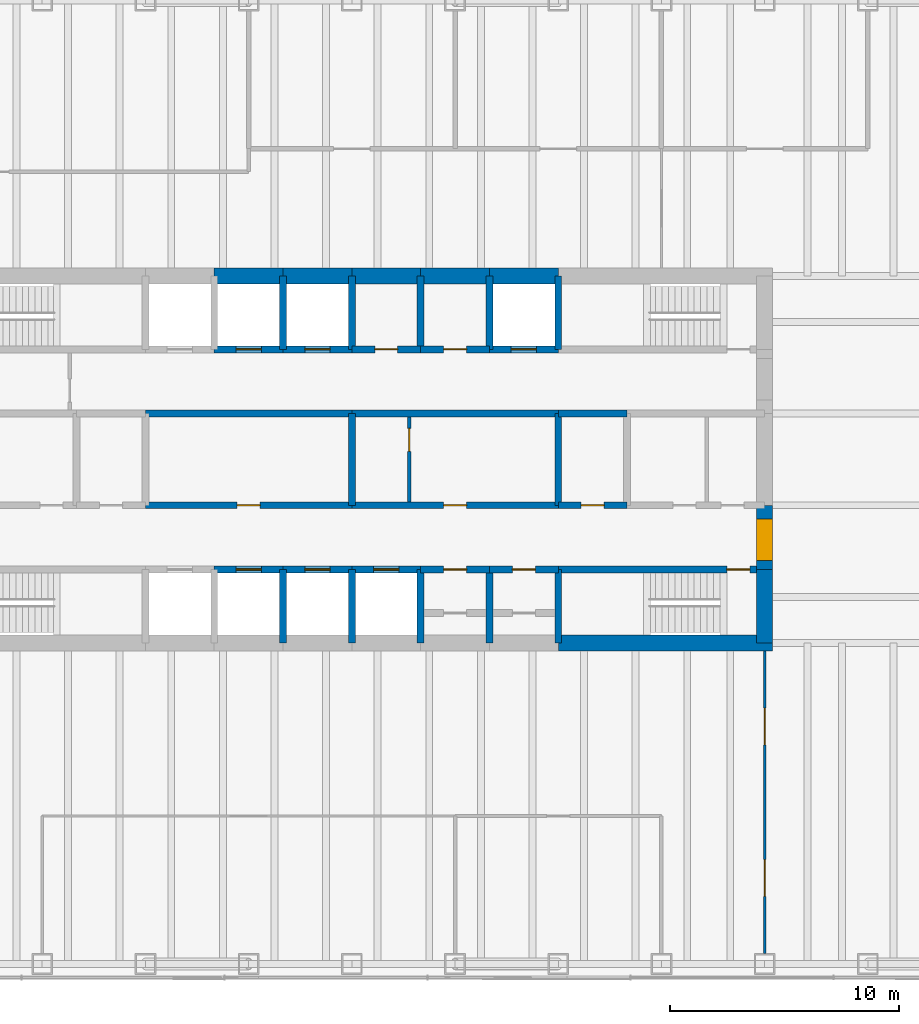
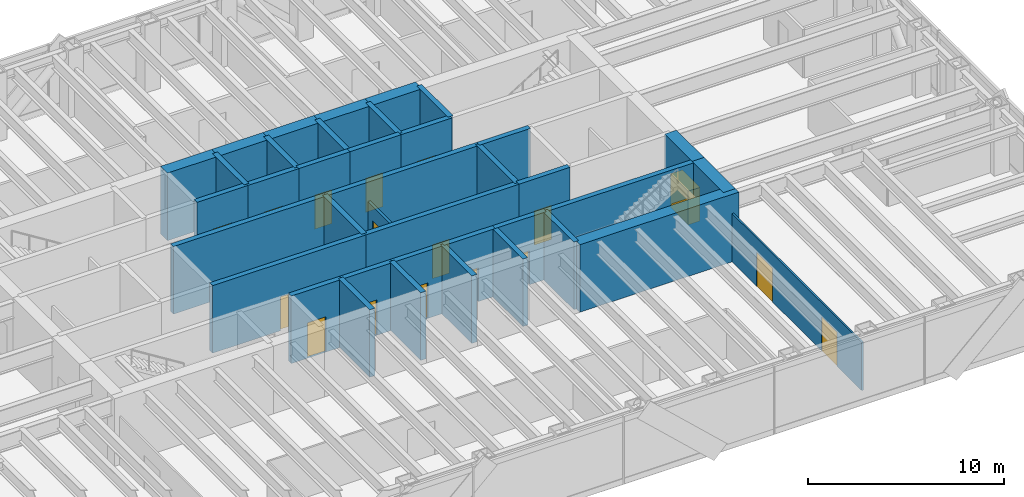
# One storey, part 12 of 15: 39 walls, 18 doors, 18 openings.
"""IFC4 building model written with IfcOpenShell, lengths in metres."""

from ifc_helpers import new_model, si_unit, direction, frame, frame_2d, origin, place, context, subcontext, project, spatial, rectangle, extrude, material, layer, layer_set, type_object, element, fill, save


model = new_model("IFC4")

# Units and contexts
model_context = context("Model", 3, precision=1e-05, world=origin(), true_north=direction((0.0, 1.0)))
body_context = subcontext(model_context, "Body", "Model", "MODEL_VIEW")
ifc_project = project(units=[si_unit("LENGTHUNIT", "METRE"), si_unit("AREAUNIT", "SQUARE_METRE"), si_unit("VOLUMEUNIT", "CUBIC_METRE"), si_unit("PLANEANGLEUNIT", "RADIAN"), si_unit("MASSUNIT", "GRAM", prefix="KILO")], contexts=[model_context])

# Site, building, storey
site_placement = place(None, origin())
site = spatial("IfcSite", under=ifc_project, at=site_placement, CompositionType="ELEMENT")
building_placement = place(site_placement, origin())
building = spatial("IfcBuilding", under=site, at=building_placement, Name="Rheinbord Bourse Tower", CompositionType="ELEMENT")
storey_placement = place(building_placement, frame((0.0, 0.0, 296.300048828125)))
storey = spatial("IfcBuildingStorey", under=building, at=storey_placement, Name="L67", CompositionType="ELEMENT", Elevation=296.300048828125)

# Wall, opening, door
ifc_material_1 = material(Name="Concrete C50/60", Category="concrete")
ifc_layer_1 = layer(ifc_material_1, 0.300048828125)
ifc_layer_set_1 = layer_set([ifc_layer_1], Name="CORE INNER WALL 300")
wall_type_1 = type_object("IfcWallType", Name="CORE INNER WALL 300", PredefinedType="SOLIDWALL", material=ifc_layer_set_1)
wall_1_placement = place(storey_placement, frame((30.0, 19.199951171875, 0.0), z_axis=(0.0, 0.0, 1.0), x_axis=(1.0, 0.0, 0.0)))
wall_1 = element("IfcWall", 1, at=wall_1_placement, inside=storey, type_object=wall_type_1, Name="Core wall A3 L67", PredefinedType="SOLIDWALL", context=body_context, shape_type="SweptSolid", body=[
    extrude(rectangle(XDim=3.0, YDim=0.300048828125, at=frame_2d((1.5, 0.0))), origin(), (0.0, 0.0, 1.0), 4.199951171875),
])
opening_1_placement = place(wall_1_placement, frame((0.949951171875, 0.0, 0.0)))
opening_1 = element("IfcOpeningElement", 2, at=opening_1_placement, cuts=wall_1, Name="Opening PD1", PredefinedType="OPENING", context=body_context, shape_type="SweptSolid", body=[
    extrude(rectangle(XDim=1.10009765625, YDim=2.199951171875, at=frame_2d((0.550048828125, 1.10009765625))), frame((0.0, 0.159912109375, 0.0), z_axis=(0.0, -1.0, 0.0), x_axis=(1.0, 0.0, 0.0)), (0.0, 0.0, 1.0), 0.320068359375),
])
ifc_material_2 = material(Name="Steel landing door", Category="steel")
door_type_1 = type_object("IfcDoorType", Name="LIFT LANDING DOOR 1100", OperationType="DOUBLE_DOOR_SLIDING", PredefinedType="USERDEFINED", material=ifc_material_2)
door_1_placement = place(opening_1_placement, origin())
door_1 = element("IfcDoor", 3, at=door_1_placement, inside=storey, type_object=door_type_1, Name="Lift landing door PD1 L67", ObjectType="LIFT LANDING DOOR", OperationType="DOUBLE_DOOR_SLIDING", OverallHeight=2.199951171875, OverallWidth=1.10009765625, PredefinedType="USERDEFINED", context=body_context, shape_type="SweptSolid", body=[
    extrude(rectangle(XDim=1.10009765625, YDim=2.199951171875, at=frame_2d((0.550048828125, 1.10009765625))), frame((0.0, 0.02490234375, 0.0), z_axis=(0.0, -1.0, 0.0), x_axis=(1.0, 0.0, 0.0)), (0.0, 0.0, 1.0), 0.050048828125),
])
fill(opening_1, door_1)

wall_2_placement = place(storey_placement, frame((33.0, 19.199951171875, 0.0), z_axis=(0.0, 0.0, 1.0), x_axis=(1.0, 0.0, 0.0)))
wall_2 = element("IfcWall", 4, at=wall_2_placement, inside=storey, type_object=wall_type_1, Name="Core wall A4 L67", PredefinedType="SOLIDWALL", context=body_context, shape_type="SweptSolid", body=[
    extrude(rectangle(XDim=3.0, YDim=0.300048828125, at=frame_2d((1.5, 0.0))), origin(), (0.0, 0.0, 1.0), 4.199951171875),
])
opening_2_placement = place(wall_2_placement, frame((0.949951171875, 0.0, 0.0)))
opening_2 = element("IfcOpeningElement", 5, at=opening_2_placement, cuts=wall_2, Name="Opening PD2", PredefinedType="OPENING", context=body_context, shape_type="SweptSolid", body=[
    extrude(rectangle(XDim=1.10009765625, YDim=2.199951171875, at=frame_2d((0.550048828125, 1.10009765625))), frame((0.0, 0.159912109375, 0.0), z_axis=(0.0, -1.0, 0.0), x_axis=(1.0, 0.0, 0.0)), (0.0, 0.0, 1.0), 0.320068359375),
])
door_2_placement = place(opening_2_placement, origin())
door_2 = element("IfcDoor", 6, at=door_2_placement, inside=storey, type_object=door_type_1, Name="Lift landing door PD2 L67", ObjectType="LIFT LANDING DOOR", OperationType="DOUBLE_DOOR_SLIDING", OverallHeight=2.199951171875, OverallWidth=1.10009765625, PredefinedType="USERDEFINED", context=body_context, shape_type="SweptSolid", body=[
    extrude(rectangle(XDim=1.10009765625, YDim=2.199951171875, at=frame_2d((0.550048828125, 1.10009765625))), frame((0.0, 0.02490234375, 0.0), z_axis=(0.0, -1.0, 0.0), x_axis=(1.0, 0.0, 0.0)), (0.0, 0.0, 1.0), 0.050048828125),
])
fill(opening_2, door_2)

wall_3_placement = place(storey_placement, frame((36.0, 19.199951171875, 0.0), z_axis=(0.0, 0.0, 1.0), x_axis=(1.0, 0.0, 0.0)))
wall_3 = element("IfcWall", 7, at=wall_3_placement, inside=storey, type_object=wall_type_1, Name="Core wall A5 L67", PredefinedType="SOLIDWALL", context=body_context, shape_type="SweptSolid", body=[
    extrude(rectangle(XDim=3.0, YDim=0.300048828125, at=frame_2d((1.5, 0.0))), origin(), (0.0, 0.0, 1.0), 4.199951171875),
])
opening_3_placement = place(wall_3_placement, frame((0.949951171875, 0.0, 0.0)))
opening_3 = element("IfcOpeningElement", 8, at=opening_3_placement, cuts=wall_3, Name="Opening PD3", PredefinedType="OPENING", context=body_context, shape_type="SweptSolid", body=[
    extrude(rectangle(XDim=1.10009765625, YDim=2.199951171875, at=frame_2d((0.550048828125, 1.10009765625))), frame((0.0, 0.159912109375, 0.0), z_axis=(0.0, -1.0, 0.0), x_axis=(1.0, 0.0, 0.0)), (0.0, 0.0, 1.0), 0.320068359375),
])
door_3_placement = place(opening_3_placement, origin())
door_3 = element("IfcDoor", 9, at=door_3_placement, inside=storey, type_object=door_type_1, Name="Lift landing door PD3 L67", ObjectType="LIFT LANDING DOOR", OperationType="DOUBLE_DOOR_SLIDING", OverallHeight=2.199951171875, OverallWidth=1.10009765625, PredefinedType="USERDEFINED", context=body_context, shape_type="SweptSolid", body=[
    extrude(rectangle(XDim=1.10009765625, YDim=2.199951171875, at=frame_2d((0.550048828125, 1.10009765625))), frame((0.0, 0.02490234375, 0.0), z_axis=(0.0, -1.0, 0.0), x_axis=(1.0, 0.0, 0.0)), (0.0, 0.0, 1.0), 0.050048828125),
])
fill(opening_3, door_3)

wall_4_placement = place(storey_placement, frame((39.0, 19.199951171875, 0.0), z_axis=(0.0, 0.0, 1.0), x_axis=(1.0, 0.0, 0.0)))
wall_4 = element("IfcWall", 10, at=wall_4_placement, inside=storey, type_object=wall_type_1, Name="Core wall A6 L67", PredefinedType="SOLIDWALL", context=body_context, shape_type="SweptSolid", body=[
    extrude(rectangle(XDim=3.0, YDim=0.300048828125, at=frame_2d((1.5, 0.0))), origin(), (0.0, 0.0, 1.0), 4.199951171875),
])
opening_4_placement = place(wall_4_placement, frame((1.0, 0.0, 0.0)))
opening_4 = element("IfcOpeningElement", 11, at=opening_4_placement, cuts=wall_4, Name="Opening 67R8", PredefinedType="OPENING", context=body_context, shape_type="SweptSolid", body=[
    extrude(rectangle(XDim=1.0, YDim=2.10009765625, at=frame_2d((0.5, 1.050048828125))), frame((0.0, 0.159912109375, 0.0), z_axis=(0.0, -1.0, 0.0), x_axis=(1.0, 0.0, 0.0)), (0.0, 0.0, 1.0), 0.320068359375),
])
ifc_material_3 = material(Name="Steel door", Category="steel")
door_type_2 = type_object("IfcDoorType", Name="DOOR 1000 EI30", OperationType="SINGLE_SWING_LEFT", PredefinedType="DOOR", material=ifc_material_3)
door_4_placement = place(opening_4_placement, origin())
door_4 = element("IfcDoor", 12, at=door_4_placement, inside=storey, type_object=door_type_2, Name="Archive store door L67", OperationType="SINGLE_SWING_LEFT", OverallHeight=2.10009765625, OverallWidth=1.0, PredefinedType="DOOR", context=body_context, shape_type="SweptSolid", body=[
    extrude(rectangle(XDim=1.0, YDim=2.10009765625, at=frame_2d((0.5, 1.050048828125))), frame((0.0, 0.02490234375, 0.0), z_axis=(0.0, -1.0, 0.0), x_axis=(1.0, 0.0, 0.0)), (0.0, 0.0, 1.0), 0.050048828125),
])
fill(opening_4, door_4)

wall_5_placement = place(storey_placement, frame((42.0, 19.199951171875, 0.0), z_axis=(0.0, 0.0, 1.0), x_axis=(1.0, 0.0, 0.0)))
wall_5 = element("IfcWall", 13, at=wall_5_placement, inside=storey, type_object=wall_type_1, Name="Core wall A7 L67", PredefinedType="SOLIDWALL", context=body_context, shape_type="SweptSolid", body=[
    extrude(rectangle(XDim=3.0, YDim=0.300048828125, at=frame_2d((1.5, 0.0))), origin(), (0.0, 0.0, 1.0), 4.199951171875),
])
opening_5_placement = place(wall_5_placement, frame((1.0, 0.0, 0.0)))
opening_5 = element("IfcOpeningElement", 14, at=opening_5_placement, cuts=wall_5, Name="Opening 67R9", PredefinedType="OPENING", context=body_context, shape_type="SweptSolid", body=[
    extrude(rectangle(XDim=1.0, YDim=2.10009765625, at=frame_2d((0.5, 1.050048828125))), frame((0.0, 0.159912109375, 0.0), z_axis=(0.0, -1.0, 0.0), x_axis=(1.0, 0.0, 0.0)), (0.0, 0.0, 1.0), 0.320068359375),
])
door_5_placement = place(opening_5_placement, origin())
door_5 = element("IfcDoor", 15, at=door_5_placement, inside=storey, type_object=door_type_2, Name="Mail room door L67", OperationType="SINGLE_SWING_LEFT", OverallHeight=2.10009765625, OverallWidth=1.0, PredefinedType="DOOR", context=body_context, shape_type="SweptSolid", body=[
    extrude(rectangle(XDim=1.0, YDim=2.10009765625, at=frame_2d((0.5, 1.050048828125))), frame((0.0, 0.02490234375, 0.0), z_axis=(0.0, -1.0, 0.0), x_axis=(1.0, 0.0, 0.0)), (0.0, 0.0, 1.0), 0.050048828125),
])
fill(opening_5, door_5)

wall_6_placement = place(storey_placement, frame((45.0, 19.199951171875, 0.0), z_axis=(0.0, 0.0, 1.0), x_axis=(1.0, 0.0, 0.0)))
wall_6 = element("IfcWall", 16, at=wall_6_placement, inside=storey, type_object=wall_type_1, Name="Core wall A8 L67", PredefinedType="SOLIDWALL", context=body_context, shape_type="SweptSolid", body=[
    extrude(rectangle(XDim=9.0, YDim=0.300048828125, at=frame_2d((4.5, 0.0))), origin(), (0.0, 0.0, 1.0), 4.199951171875),
])
opening_6_placement = place(wall_6_placement, frame((7.35009765625, 0.0, 0.0)))
opening_6 = element("IfcOpeningElement", 17, at=opening_6_placement, cuts=wall_6, Name="Opening 6730", PredefinedType="OPENING", context=body_context, shape_type="SweptSolid", body=[
    extrude(rectangle(XDim=1.0, YDim=2.10009765625, at=frame_2d((0.5, 1.050048828125))), frame((0.0, 0.159912109375, 0.0), z_axis=(0.0, -1.0, 0.0), x_axis=(1.0, 0.0, 0.0)), (0.0, 0.0, 1.0), 0.320068359375),
])
door_6_placement = place(opening_6_placement, origin())
door_6 = element("IfcDoor", 18, at=door_6_placement, inside=storey, type_object=door_type_2, Name="Stair door ST3 L67", OperationType="SINGLE_SWING_RIGHT", OverallHeight=2.10009765625, OverallWidth=1.0, PredefinedType="DOOR", context=body_context, shape_type="SweptSolid", body=[
    extrude(rectangle(XDim=1.0, YDim=2.10009765625, at=frame_2d((0.5, 1.050048828125))), frame((0.0, 0.02490234375, 0.0), z_axis=(0.0, -1.0, 0.0), x_axis=(1.0, 0.0, 0.0)), (0.0, 0.0, 1.0), 0.050048828125),
])
fill(opening_6, door_6)

wall_7_placement = place(storey_placement, frame((30.0, 28.800048828125, 0.0), z_axis=(0.0, 0.0, 1.0), x_axis=(1.0, 0.0, 0.0)))
wall_7 = element("IfcWall", 19, at=wall_7_placement, inside=storey, type_object=wall_type_1, Name="Core wall B3 L67", PredefinedType="SOLIDWALL", context=body_context, shape_type="SweptSolid", body=[
    extrude(rectangle(XDim=3.0, YDim=0.300048828125, at=frame_2d((1.5, 0.0))), origin(), (0.0, 0.0, 1.0), 4.199951171875),
])
opening_7_placement = place(wall_7_placement, frame((0.949951171875, 0.0, 0.0)))
opening_7 = element("IfcOpeningElement", 20, at=opening_7_placement, cuts=wall_7, Name="Opening PD4", PredefinedType="OPENING", context=body_context, shape_type="SweptSolid", body=[
    extrude(rectangle(XDim=1.10009765625, YDim=2.199951171875, at=frame_2d((0.550048828125, 1.10009765625))), frame((0.0, 0.159912109375, 0.0), z_axis=(0.0, -1.0, 0.0), x_axis=(1.0, 0.0, 0.0)), (0.0, 0.0, 1.0), 0.320068359375),
])
door_7_placement = place(opening_7_placement, origin())
door_7 = element("IfcDoor", 21, at=door_7_placement, inside=storey, type_object=door_type_1, Name="Lift landing door PD4 L67", ObjectType="LIFT LANDING DOOR", OperationType="DOUBLE_DOOR_SLIDING", OverallHeight=2.199951171875, OverallWidth=1.10009765625, PredefinedType="USERDEFINED", context=body_context, shape_type="SweptSolid", body=[
    extrude(rectangle(XDim=1.10009765625, YDim=2.199951171875, at=frame_2d((0.550048828125, 1.10009765625))), frame((0.0, 0.02490234375, 0.0), z_axis=(0.0, -1.0, 0.0), x_axis=(1.0, 0.0, 0.0)), (0.0, 0.0, 1.0), 0.050048828125),
])
fill(opening_7, door_7)

wall_8_placement = place(storey_placement, frame((33.0, 28.800048828125, 0.0), z_axis=(0.0, 0.0, 1.0), x_axis=(1.0, 0.0, 0.0)))
wall_8 = element("IfcWall", 22, at=wall_8_placement, inside=storey, type_object=wall_type_1, Name="Core wall B4 L67", PredefinedType="SOLIDWALL", context=body_context, shape_type="SweptSolid", body=[
    extrude(rectangle(XDim=3.0, YDim=0.300048828125, at=frame_2d((1.5, 0.0))), origin(), (0.0, 0.0, 1.0), 4.199951171875),
])
opening_8_placement = place(wall_8_placement, frame((0.949951171875, 0.0, 0.0)))
opening_8 = element("IfcOpeningElement", 23, at=opening_8_placement, cuts=wall_8, Name="Opening PD5", PredefinedType="OPENING", context=body_context, shape_type="SweptSolid", body=[
    extrude(rectangle(XDim=1.10009765625, YDim=2.199951171875, at=frame_2d((0.550048828125, 1.10009765625))), frame((0.0, 0.159912109375, 0.0), z_axis=(0.0, -1.0, 0.0), x_axis=(1.0, 0.0, 0.0)), (0.0, 0.0, 1.0), 0.320068359375),
])
door_8_placement = place(opening_8_placement, origin())
door_8 = element("IfcDoor", 24, at=door_8_placement, inside=storey, type_object=door_type_1, Name="Lift landing door PD5 L67", ObjectType="LIFT LANDING DOOR", OperationType="DOUBLE_DOOR_SLIDING", OverallHeight=2.199951171875, OverallWidth=1.10009765625, PredefinedType="USERDEFINED", context=body_context, shape_type="SweptSolid", body=[
    extrude(rectangle(XDim=1.10009765625, YDim=2.199951171875, at=frame_2d((0.550048828125, 1.10009765625))), frame((0.0, 0.02490234375, 0.0), z_axis=(0.0, -1.0, 0.0), x_axis=(1.0, 0.0, 0.0)), (0.0, 0.0, 1.0), 0.050048828125),
])
fill(opening_8, door_8)

wall_9_placement = place(storey_placement, frame((36.0, 28.800048828125, 0.0), z_axis=(0.0, 0.0, 1.0), x_axis=(1.0, 0.0, 0.0)))
wall_9 = element("IfcWall", 25, at=wall_9_placement, inside=storey, type_object=wall_type_1, Name="Core wall B5 L67", PredefinedType="SOLIDWALL", context=body_context, shape_type="SweptSolid", body=[
    extrude(rectangle(XDim=3.0, YDim=0.300048828125, at=frame_2d((1.5, 0.0))), origin(), (0.0, 0.0, 1.0), 4.199951171875),
])
opening_9_placement = place(wall_9_placement, frame((1.0, 0.0, 0.0)))
opening_9 = element("IfcOpeningElement", 26, at=opening_9_placement, cuts=wall_9, Name="Opening 67R10", PredefinedType="OPENING", context=body_context, shape_type="SweptSolid", body=[
    extrude(rectangle(XDim=1.0, YDim=2.10009765625, at=frame_2d((0.5, 1.050048828125))), frame((0.0, 0.159912109375, 0.0), z_axis=(0.0, -1.0, 0.0), x_axis=(1.0, 0.0, 0.0)), (0.0, 0.0, 1.0), 0.320068359375),
])
door_9_placement = place(opening_9_placement, origin())
door_9 = element("IfcDoor", 27, at=door_9_placement, inside=storey, type_object=door_type_2, Name="Stationery store door L67", OperationType="SINGLE_SWING_LEFT", OverallHeight=2.10009765625, OverallWidth=1.0, PredefinedType="DOOR", context=body_context, shape_type="SweptSolid", body=[
    extrude(rectangle(XDim=1.0, YDim=2.10009765625, at=frame_2d((0.5, 1.050048828125))), frame((0.0, 0.02490234375, 0.0), z_axis=(0.0, -1.0, 0.0), x_axis=(1.0, 0.0, 0.0)), (0.0, 0.0, 1.0), 0.050048828125),
])
fill(opening_9, door_9)

wall_10_placement = place(storey_placement, frame((39.0, 28.800048828125, 0.0), z_axis=(0.0, 0.0, 1.0), x_axis=(1.0, 0.0, 0.0)))
wall_10 = element("IfcWall", 28, at=wall_10_placement, inside=storey, type_object=wall_type_1, Name="Core wall B6 L67", PredefinedType="SOLIDWALL", context=body_context, shape_type="SweptSolid", body=[
    extrude(rectangle(XDim=3.0, YDim=0.300048828125, at=frame_2d((1.5, 0.0))), origin(), (0.0, 0.0, 1.0), 4.199951171875),
])
opening_10_placement = place(wall_10_placement, frame((1.0, 0.0, 0.0)))
opening_10 = element("IfcOpeningElement", 29, at=opening_10_placement, cuts=wall_10, Name="Opening 67R11", PredefinedType="OPENING", context=body_context, shape_type="SweptSolid", body=[
    extrude(rectangle(XDim=1.0, YDim=2.10009765625, at=frame_2d((0.5, 1.050048828125))), frame((0.0, 0.159912109375, 0.0), z_axis=(0.0, -1.0, 0.0), x_axis=(1.0, 0.0, 0.0)), (0.0, 0.0, 1.0), 0.320068359375),
])
door_10_placement = place(opening_10_placement, origin())
door_10 = element("IfcDoor", 30, at=door_10_placement, inside=storey, type_object=door_type_2, Name="Supplies store door L67", OperationType="SINGLE_SWING_LEFT", OverallHeight=2.10009765625, OverallWidth=1.0, PredefinedType="DOOR", context=body_context, shape_type="SweptSolid", body=[
    extrude(rectangle(XDim=1.0, YDim=2.10009765625, at=frame_2d((0.5, 1.050048828125))), frame((0.0, 0.02490234375, 0.0), z_axis=(0.0, -1.0, 0.0), x_axis=(1.0, 0.0, 0.0)), (0.0, 0.0, 1.0), 0.050048828125),
])
fill(opening_10, door_10)

wall_11_placement = place(storey_placement, frame((42.0, 28.800048828125, 0.0), z_axis=(0.0, 0.0, 1.0), x_axis=(1.0, 0.0, 0.0)))
wall_11 = element("IfcWall", 31, at=wall_11_placement, inside=storey, type_object=wall_type_1, Name="Core wall B7 L67", PredefinedType="SOLIDWALL", context=body_context, shape_type="SweptSolid", body=[
    extrude(rectangle(XDim=3.0, YDim=0.300048828125, at=frame_2d((1.5, 0.0))), origin(), (0.0, 0.0, 1.0), 4.199951171875),
])
opening_11_placement = place(wall_11_placement, frame((0.949951171875, 0.0, 0.0)))
opening_11 = element("IfcOpeningElement", 32, at=opening_11_placement, cuts=wall_11, Name="Opening FL2", PredefinedType="OPENING", context=body_context, shape_type="SweptSolid", body=[
    extrude(rectangle(XDim=1.10009765625, YDim=2.199951171875, at=frame_2d((0.550048828125, 1.10009765625))), frame((0.0, 0.159912109375, 0.0), z_axis=(0.0, -1.0, 0.0), x_axis=(1.0, 0.0, 0.0)), (0.0, 0.0, 1.0), 0.320068359375),
])
door_11_placement = place(opening_11_placement, origin())
door_11 = element("IfcDoor", 33, at=door_11_placement, inside=storey, type_object=door_type_1, Name="Lift landing door FL2 L67", ObjectType="LIFT LANDING DOOR", OperationType="DOUBLE_DOOR_SLIDING", OverallHeight=2.199951171875, OverallWidth=1.10009765625, PredefinedType="USERDEFINED", context=body_context, shape_type="SweptSolid", body=[
    extrude(rectangle(XDim=1.10009765625, YDim=2.199951171875, at=frame_2d((0.550048828125, 1.10009765625))), frame((0.0, 0.02490234375, 0.0), z_axis=(0.0, -1.0, 0.0), x_axis=(1.0, 0.0, 0.0)), (0.0, 0.0, 1.0), 0.050048828125),
])
fill(opening_11, door_11)

wall_12_placement = place(storey_placement, frame((27.0, 22.0, 0.0), z_axis=(0.0, 0.0, 1.0), x_axis=(1.0, 0.0, 0.0)))
wall_12 = element("IfcWall", 34, at=wall_12_placement, inside=storey, type_object=wall_type_1, Name="Core wall C3 L67", PredefinedType="SOLIDWALL", context=body_context, shape_type="SweptSolid", body=[
    extrude(rectangle(XDim=9.0, YDim=0.300048828125, at=frame_2d((4.5, 0.0))), origin(), (0.0, 0.0, 1.0), 4.199951171875),
])
opening_12_placement = place(wall_12_placement, frame((4.0, 0.0, 0.0)))
opening_12 = element("IfcOpeningElement", 35, at=opening_12_placement, cuts=wall_12, Name="Opening 67R3", PredefinedType="OPENING", context=body_context, shape_type="SweptSolid", body=[
    extrude(rectangle(XDim=1.0, YDim=2.10009765625, at=frame_2d((0.5, 1.050048828125))), frame((0.0, 0.159912109375, 0.0), z_axis=(0.0, -1.0, 0.0), x_axis=(1.0, 0.0, 0.0)), (0.0, 0.0, 1.0), 0.320068359375),
])
door_12_placement = place(opening_12_placement, origin())
door_12 = element("IfcDoor", 36, at=door_12_placement, inside=storey, type_object=door_type_2, Name="Riser door L67", OperationType="SINGLE_SWING_LEFT", OverallHeight=2.10009765625, OverallWidth=1.0, PredefinedType="DOOR", context=body_context, shape_type="SweptSolid", body=[
    extrude(rectangle(XDim=1.0, YDim=2.10009765625, at=frame_2d((0.5, 1.050048828125))), frame((0.0, 0.02490234375, 0.0), z_axis=(0.0, -1.0, 0.0), x_axis=(1.0, 0.0, 0.0)), (0.0, 0.0, 1.0), 0.050048828125),
])
fill(opening_12, door_12)

wall_13_placement = place(storey_placement, frame((36.0, 22.0, 0.0), z_axis=(0.0, 0.0, 1.0), x_axis=(1.0, 0.0, 0.0)))
wall_13 = element("IfcWall", 37, at=wall_13_placement, inside=storey, type_object=wall_type_1, Name="Core wall C4 L67", PredefinedType="SOLIDWALL", context=body_context, shape_type="SweptSolid", body=[
    extrude(rectangle(XDim=9.0, YDim=0.300048828125, at=frame_2d((4.5, 0.0))), origin(), (0.0, 0.0, 1.0), 4.199951171875),
])
opening_13_placement = place(wall_13_placement, frame((4.0, 0.0, 0.0)))
opening_13 = element("IfcOpeningElement", 38, at=opening_13_placement, cuts=wall_13, Name="Opening 67R4", PredefinedType="OPENING", context=body_context, shape_type="SweptSolid", body=[
    extrude(rectangle(XDim=1.0, YDim=2.10009765625, at=frame_2d((0.5, 1.050048828125))), frame((0.0, 0.159912109375, 0.0), z_axis=(0.0, -1.0, 0.0), x_axis=(1.0, 0.0, 0.0)), (0.0, 0.0, 1.0), 0.320068359375),
])
door_13_placement = place(opening_13_placement, origin())
door_13 = element("IfcDoor", 39, at=door_13_placement, inside=storey, type_object=door_type_2, Name="Store door L67", OperationType="SINGLE_SWING_LEFT", OverallHeight=2.10009765625, OverallWidth=1.0, PredefinedType="DOOR", context=body_context, shape_type="SweptSolid", body=[
    extrude(rectangle(XDim=1.0, YDim=2.10009765625, at=frame_2d((0.5, 1.050048828125))), frame((0.0, 0.02490234375, 0.0), z_axis=(0.0, -1.0, 0.0), x_axis=(1.0, 0.0, 0.0)), (0.0, 0.0, 1.0), 0.050048828125),
])
fill(opening_13, door_13)

wall_14_placement = place(storey_placement, frame((45.0, 22.0, 0.0), z_axis=(0.0, 0.0, 1.0), x_axis=(1.0, 0.0, 0.0)))
wall_14 = element("IfcWall", 40, at=wall_14_placement, inside=storey, type_object=wall_type_1, Name="Core wall C5 L67", PredefinedType="SOLIDWALL", context=body_context, shape_type="SweptSolid", body=[
    extrude(rectangle(XDim=3.0, YDim=0.300048828125, at=frame_2d((1.5, 0.0))), origin(), (0.0, 0.0, 1.0), 4.199951171875),
])
opening_14_placement = place(wall_14_placement, frame((1.0, 0.0, 0.0)))
opening_14 = element("IfcOpeningElement", 41, at=opening_14_placement, cuts=wall_14, Name="Opening 67R5", PredefinedType="OPENING", context=body_context, shape_type="SweptSolid", body=[
    extrude(rectangle(XDim=1.0, YDim=2.10009765625, at=frame_2d((0.5, 1.050048828125))), frame((0.0, 0.159912109375, 0.0), z_axis=(0.0, -1.0, 0.0), x_axis=(1.0, 0.0, 0.0)), (0.0, 0.0, 1.0), 0.320068359375),
])
ifc_material_4 = material(Name="Timber door", Category="wood")
door_type_3 = type_object("IfcDoorType", Name="DOOR 1000 WC", OperationType="SINGLE_SWING_LEFT", PredefinedType="DOOR", material=ifc_material_4)
door_14_placement = place(opening_14_placement, origin())
door_14 = element("IfcDoor", 42, at=door_14_placement, inside=storey, type_object=door_type_3, Name="Accessible WC door L67", OperationType="SINGLE_SWING_LEFT", OverallHeight=2.10009765625, OverallWidth=1.0, PredefinedType="DOOR", context=body_context, shape_type="SweptSolid", body=[
    extrude(rectangle(XDim=1.0, YDim=2.10009765625, at=frame_2d((0.5, 1.050048828125))), frame((0.0, 0.02490234375, 0.0), z_axis=(0.0, -1.0, 0.0), x_axis=(1.0, 0.0, 0.0)), (0.0, 0.0, 1.0), 0.050048828125),
])
fill(opening_14, door_14)

# Walls
for number, where, z_axis, x_axis, name in (
    (43, (27.0, 26.0, 0.0), (0.0, 0.0, 1.0), (1.0, 0.0, 0.0), "Core wall D3 L67"),
    (44, (36.0, 26.0, 0.0), (0.0, 0.0, 1.0), (1.0, 0.0, 0.0), "Core wall D4 L67"),
):
    element("IfcWall", number, at=place(storey_placement, frame(where, z_axis=z_axis, x_axis=x_axis)), inside=storey, type_object=wall_type_1, Name=name, PredefinedType="SOLIDWALL", context=body_context, shape_type="SweptSolid", body=[
        extrude(rectangle(XDim=9.0, YDim=0.300048828125, at=frame_2d((4.5, 0.0))), origin(), (0.0, 0.0, 1.0), 4.199951171875),
    ])
wall_15_placement = place(storey_placement, frame((45.0, 26.0, 0.0), z_axis=(0.0, 0.0, 1.0), x_axis=(1.0, 0.0, 0.0)))
element("IfcWall", 45, at=wall_15_placement, inside=storey, type_object=wall_type_1, Name="Core wall D5 L67", PredefinedType="SOLIDWALL", context=body_context, shape_type="SweptSolid", body=[
    extrude(rectangle(XDim=3.0, YDim=0.300048828125, at=frame_2d((1.5, 0.0))), origin(), (0.0, 0.0, 1.0), 4.199951171875),
])
for number, where, z_axis, x_axis, name in (
    (46, (33.0, 16.0, 0.0), (0.0, 0.0, 1.0), (0.0, 1.0, 0.0), "Core wall SX33 L67"),
    (47, (33.0, 28.800048828125, 0.0), (0.0, 0.0, 1.0), (0.0, 1.0, 0.0), "Core wall NX33 L67"),
    (48, (36.0, 16.0, 0.0), (0.0, 0.0, 1.0), (0.0, 1.0, 0.0), "Core wall SX36 L67"),
    (49, (36.0, 28.800048828125, 0.0), (0.0, 0.0, 1.0), (0.0, 1.0, 0.0), "Core wall NX36 L67"),
    (50, (39.0, 16.0, 0.0), (0.0, 0.0, 1.0), (0.0, 1.0, 0.0), "Core wall SX39 L67"),
    (51, (39.0, 28.800048828125, 0.0), (0.0, 0.0, 1.0), (0.0, 1.0, 0.0), "Core wall NX39 L67"),
    (52, (42.0, 16.0, 0.0), (0.0, 0.0, 1.0), (0.0, 1.0, 0.0), "Core wall SX42 L67"),
    (53, (42.0, 28.800048828125, 0.0), (0.0, 0.0, 1.0), (0.0, 1.0, 0.0), "Core wall NX42 L67"),
    (54, (45.0, 16.0, 0.0), (0.0, 0.0, 1.0), (0.0, 1.0, 0.0), "Core wall SX45 L67"),
    (55, (45.0, 28.800048828125, 0.0), (0.0, 0.0, 1.0), (0.0, 1.0, 0.0), "Core wall NX45 L67"),
):
    element("IfcWall", number, at=place(storey_placement, frame(where, z_axis=z_axis, x_axis=x_axis)), inside=storey, type_object=wall_type_1, Name=name, PredefinedType="SOLIDWALL", context=body_context, shape_type="SweptSolid", body=[
        extrude(rectangle(XDim=3.199951171875, YDim=0.300048828125, at=frame_2d((1.60009765625, 0.0))), origin(), (0.0, 0.0, 1.0), 4.199951171875),
    ])
for number, where, z_axis, x_axis, name in (
    (56, (36.0, 22.0, 0.0), (0.0, 0.0, 1.0), (0.0, 1.0, 0.0), "Core wall MX36 L67"),
    (57, (45.0, 22.0, 0.0), (0.0, 0.0, 1.0), (0.0, 1.0, 0.0), "Core wall MX45 L67"),
):
    element("IfcWall", number, at=place(storey_placement, frame(where, z_axis=z_axis, x_axis=x_axis)), inside=storey, type_object=wall_type_1, Name=name, PredefinedType="SOLIDWALL", context=body_context, shape_type="SweptSolid", body=[
        extrude(rectangle(XDim=4.0, YDim=0.300048828125, at=frame_2d((2.0, 0.0))), origin(), (0.0, 0.0, 1.0), 4.199951171875),
    ])

# Wall, opening, door
ifc_material_5 = material(Name="Gypsum board fire partition", Category="gypsum board")
ifc_layer_2 = layer(ifc_material_5, 0.14990234375)
ifc_layer_set_2 = layer_set([ifc_layer_2], Name="CORE PARTITION 150 EI30")
wall_type_2 = type_object("IfcWallType", Name="CORE PARTITION 150 EI30", PredefinedType="PARTITIONING", material=ifc_layer_set_2)
wall_16_placement = place(storey_placement, frame((38.5, 22.14990234375, 0.0), z_axis=(0.0, 0.0, 1.0), x_axis=(0.0, 1.0, 0.0)))
wall_16 = element("IfcWall", 58, at=wall_16_placement, inside=storey, type_object=wall_type_2, Name="Core partition L67-1", PredefinedType="PARTITIONING", context=body_context, shape_type="SweptSolid", body=[
    extrude(rectangle(XDim=3.7001953125, YDim=0.14990234375, at=frame_2d((1.85009765625, 0.0))), origin(), (0.0, 0.0, 1.0), 3.0),
])
opening_15_placement = place(wall_16_placement, frame((2.199951171875, 0.0, 0.0)))
opening_15 = element("IfcOpeningElement", 59, at=opening_15_placement, cuts=wall_16, Name="Opening 67R7", PredefinedType="OPENING", context=body_context, shape_type="SweptSolid", body=[
    extrude(rectangle(XDim=1.0, YDim=2.10009765625, at=frame_2d((0.5, 1.050048828125))), frame((0.0, 0.0849609375, 0.0), z_axis=(0.0, -1.0, 0.0), x_axis=(1.0, 0.0, 0.0)), (0.0, 0.0, 1.0), 0.169921875),
])
door_15_placement = place(opening_15_placement, origin())
door_15 = element("IfcDoor", 60, at=door_15_placement, inside=storey, type_object=door_type_2, Name="Furniture store door L67", OperationType="SINGLE_SWING_RIGHT", OverallHeight=2.10009765625, OverallWidth=1.0, PredefinedType="DOOR", context=body_context, shape_type="SweptSolid", body=[
    extrude(rectangle(XDim=1.0, YDim=2.10009765625, at=frame_2d((0.5, 1.050048828125))), frame((0.0, 0.02490234375, 0.0), z_axis=(0.0, -1.0, 0.0), x_axis=(1.0, 0.0, 0.0)), (0.0, 0.0, 1.0), 0.050048828125),
])
fill(opening_15, door_15)

# Walls
ifc_material_6 = material(Name="Concrete C50/60", Category="concrete")
ifc_layer_3 = layer(ifc_material_6, 0.699951171875)
ifc_layer_set_3 = layer_set([ifc_layer_3], Name="CORE WALL 700")
wall_type_3 = type_object("IfcWallType", Name="CORE WALL 700", PredefinedType="SHEAR", material=ifc_layer_set_3)
wall_17_placement = place(storey_placement, frame((45.0, 16.0, 0.0), z_axis=(0.0, 0.0, 1.0), x_axis=(1.0, 0.0, 0.0)))
element("IfcWall", 61, at=wall_17_placement, inside=storey, type_object=wall_type_3, Name="Core wall S8 L67", PredefinedType="SHEAR", context=body_context, shape_type="SweptSolid", body=[
    extrude(rectangle(XDim=9.35009765625, YDim=0.699951171875, at=frame_2d((4.675048828125, 0.0))), origin(), (0.0, 0.0, 1.0), 4.199951171875),
])
for number, where, z_axis, x_axis, name in (
    (62, (45.0, 32.0, 0.0), (0.0, 0.0, 1.0), (-1.0, 0.0, 0.0), "Core wall N2 L67"),
    (63, (42.0, 32.0, 0.0), (0.0, 0.0, 1.0), (-1.0, 0.0, 0.0), "Core wall N3 L67"),
    (64, (39.0, 32.0, 0.0), (0.0, 0.0, 1.0), (-1.0, 0.0, 0.0), "Core wall N4 L67"),
    (65, (36.0, 32.0, 0.0), (0.0, 0.0, 1.0), (-1.0, 0.0, 0.0), "Core wall N5 L67"),
    (66, (33.0, 32.0, 0.0), (0.0, 0.0, 1.0), (-1.0, 0.0, 0.0), "Core wall N6 L67"),
):
    element("IfcWall", number, at=place(storey_placement, frame(where, z_axis=z_axis, x_axis=x_axis)), inside=storey, type_object=wall_type_3, Name=name, PredefinedType="SHEAR", context=body_context, shape_type="SweptSolid", body=[
        extrude(rectangle(XDim=3.0, YDim=0.699951171875, at=frame_2d((1.5, 0.0))), origin(), (0.0, 0.0, 1.0), 4.199951171875),
    ])
wall_18_placement = place(storey_placement, frame((54.0, 16.0, 0.0), z_axis=(0.0, 0.0, 1.0), x_axis=(0.0, 1.0, 0.0)))
element("IfcWall", 67, at=wall_18_placement, inside=storey, type_object=wall_type_3, Name="Core wall E1 L67", PredefinedType="SHEAR", context=body_context, shape_type="SweptSolid", body=[
    extrude(rectangle(XDim=3.199951171875, YDim=0.699951171875, at=frame_2d((1.60009765625, 0.0))), origin(), (0.0, 0.0, 1.0), 4.199951171875),
])

# Wall, opening, door
wall_19_placement = place(storey_placement, frame((54.0, 19.199951171875, 0.0), z_axis=(0.0, 0.0, 1.0), x_axis=(0.0, 1.0, 0.0)))
wall_19 = element("IfcWall", 68, at=wall_19_placement, inside=storey, type_object=wall_type_3, Name="Core wall E2 L67", PredefinedType="SHEAR", context=body_context, shape_type="SweptSolid", body=[
    extrude(rectangle(XDim=2.800048828125, YDim=0.699951171875, at=frame_2d((1.39990234375, 0.0))), origin(), (0.0, 0.0, 1.0), 4.199951171875),
])
opening_16_placement = place(wall_19_placement, frame((0.39990234375, 0.0, 0.0)))
opening_16 = element("IfcOpeningElement", 69, at=opening_16_placement, cuts=wall_19, Name="Opening 67L3", PredefinedType="OPENING", context=body_context, shape_type="SweptSolid", body=[
    extrude(rectangle(XDim=1.800048828125, YDim=2.10009765625, at=frame_2d((0.89990234375, 1.050048828125))), frame((0.0, 0.35986328125, 0.0), z_axis=(0.0, -1.0, 0.0), x_axis=(1.0, 0.0, 0.0)), (0.0, 0.0, 1.0), 0.719970703125),
])
ifc_material_7 = material(Name="Steel door", Category="steel")
door_type_4 = type_object("IfcDoorType", Name="DOOR 1800 EI30 DOUBLE", OperationType="DOUBLE_DOOR_DOUBLE_SWING", PredefinedType="DOOR", material=ifc_material_7)
door_16_placement = place(opening_16_placement, origin())
door_16 = element("IfcDoor", 70, at=door_16_placement, inside=storey, type_object=door_type_4, Name="Lobby door 3 L67", OperationType="SINGLE_SWING_LEFT", OverallHeight=2.10009765625, OverallWidth=1.800048828125, PredefinedType="DOOR", context=body_context, shape_type="SweptSolid", body=[
    extrude(rectangle(XDim=1.800048828125, YDim=2.10009765625, at=frame_2d((0.89990234375, 1.050048828125))), frame((0.0, 0.349609375, 0.0), z_axis=(0.0, -1.0, 0.0), x_axis=(1.0, 0.0, 0.0)), (0.0, 0.0, 1.0), 0.699462890625),
])
fill(opening_16, door_16)

# Wall, openings, doors
ifc_material_8 = material(Name="Toughened laminated glass partition", Category="glass")
ifc_layer_4 = layer(ifc_material_8, 0.10009765625)
ifc_layer_set_4 = layer_set([ifc_layer_4], Name="GLAZED PARTITION 100")
wall_type_4 = type_object("IfcWallType", Name="GLAZED PARTITION 100", PredefinedType="PARTITIONING", material=ifc_layer_set_4)
wall_20_placement = place(storey_placement, frame((54.0, 2.449951171875, 0.0), z_axis=(0.0, 0.0, 1.0), x_axis=(0.0, 1.0, 0.0)))
wall_20 = element("IfcWall", 71, at=wall_20_placement, inside=storey, type_object=wall_type_4, Name="Partition L67-23", PredefinedType="PARTITIONING", context=body_context, shape_type="SweptSolid", body=[
    extrude(rectangle(XDim=13.199951171875, YDim=0.10009765625, at=frame_2d((6.60009765625, 0.0))), origin(), (0.0, 0.0, 1.0), 3.0),
])
opening_17_placement = place(wall_20_placement, frame((2.5, 0.0, 0.0)))
opening_17 = element("IfcOpeningElement", 72, at=opening_17_placement, cuts=wall_20, Name="Opening 67D13", PredefinedType="OPENING", context=body_context, shape_type="SweptSolid", body=[
    extrude(rectangle(XDim=1.60009765625, YDim=2.10009765625, at=frame_2d((0.800048828125, 1.050048828125))), frame((0.0, 0.06005859375, 0.0), z_axis=(0.0, -1.0, 0.0), x_axis=(1.0, 0.0, 0.0)), (0.0, 0.0, 1.0), 0.1201171875),
])
opening_18_placement = place(wall_20_placement, frame((9.10009765625, 0.0, 0.0)))
opening_18 = element("IfcOpeningElement", 73, at=opening_18_placement, cuts=wall_20, Name="Opening 67D14", PredefinedType="OPENING", context=body_context, shape_type="SweptSolid", body=[
    extrude(rectangle(XDim=1.60009765625, YDim=2.10009765625, at=frame_2d((0.800048828125, 1.050048828125))), frame((0.0, 0.06005859375, 0.0), z_axis=(0.0, -1.0, 0.0), x_axis=(1.0, 0.0, 0.0)), (0.0, 0.0, 1.0), 0.1201171875),
])
ifc_material_9 = material(Name="Timber door", Category="wood")
door_type_5 = type_object("IfcDoorType", Name="DOUBLE ROOM DOOR 1600", OperationType="DOUBLE_DOOR_DOUBLE_SWING", PredefinedType="DOOR", material=ifc_material_9)
door_17_placement = place(opening_17_placement, origin())
door_17 = element("IfcDoor", 74, at=door_17_placement, inside=storey, type_object=door_type_5, Name="Open area door L67", OperationType="SINGLE_SWING_LEFT", OverallHeight=2.10009765625, OverallWidth=1.60009765625, PredefinedType="DOOR", context=body_context, shape_type="SweptSolid", body=[
    extrude(rectangle(XDim=1.60009765625, YDim=2.10009765625, at=frame_2d((0.800048828125, 1.050048828125))), frame((0.0, 0.02490234375, 0.0), z_axis=(0.0, -1.0, 0.0), x_axis=(1.0, 0.0, 0.0)), (0.0, 0.0, 1.0), 0.050048828125),
])
fill(opening_17, door_17)
door_18_placement = place(opening_18_placement, origin())
door_18 = element("IfcDoor", 75, at=door_18_placement, inside=storey, type_object=door_type_5, Name="Open area door L67", OperationType="SINGLE_SWING_LEFT", OverallHeight=2.10009765625, OverallWidth=1.60009765625, PredefinedType="DOOR", context=body_context, shape_type="SweptSolid", body=[
    extrude(rectangle(XDim=1.60009765625, YDim=2.10009765625, at=frame_2d((0.800048828125, 1.050048828125))), frame((0.0, 0.02490234375, 0.0), z_axis=(0.0, -1.0, 0.0), x_axis=(1.0, 0.0, 0.0)), (0.0, 0.0, 1.0), 0.050048828125),
])
fill(opening_18, door_18)

save(model, "model.ifc")
